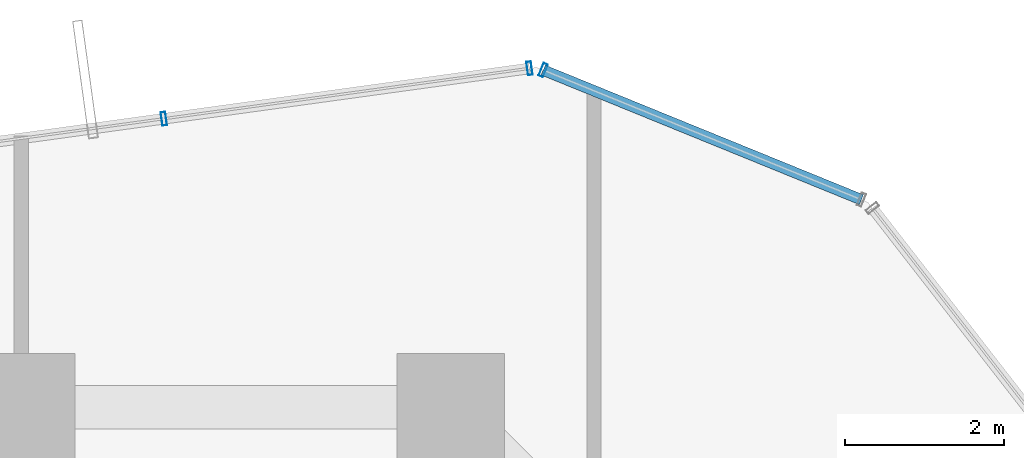
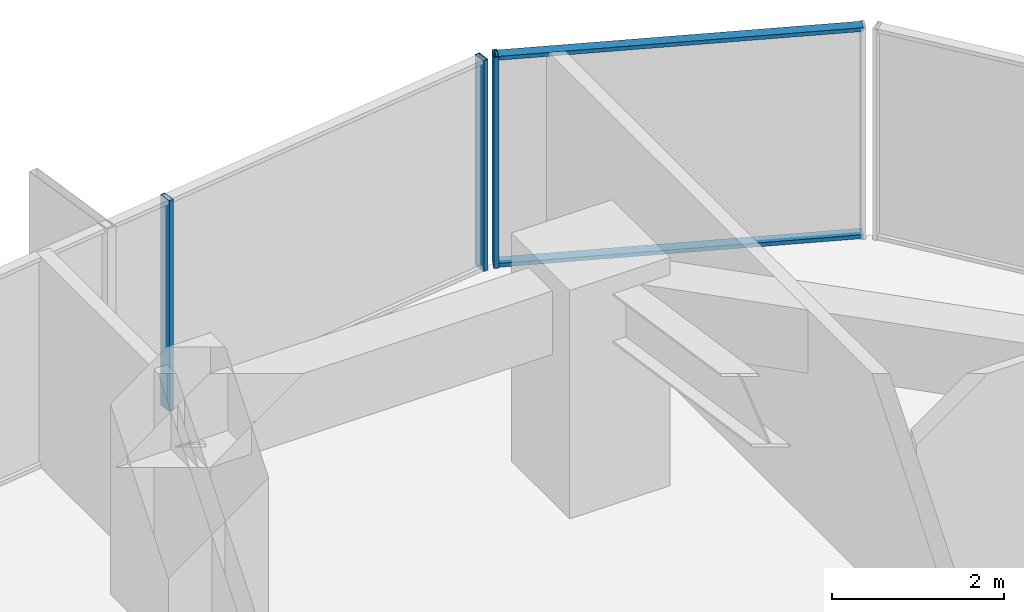
# One storey, part 27 of 37: 5 members, 2 elements without a shape of their own.
"""IFC4 building model written with IfcOpenShell, lengths in metres."""

from ifc_helpers import new_model, si_unit, direction, frame, origin, origin_2d, place, context, subcontext, project, spatial, hollow_rectangle, extrude, source, transform, mapped, material, layer, layer_set, material_profile, profile_set, type_object, element, aggregate, save


model = new_model("IFC4")

# Units and contexts
model_context = context("Model", 3, precision=1e-05, world=origin(), true_north=direction((0.0, 1.0)))
body_context = subcontext(model_context, "Body", "Model", "MODEL_VIEW")
ifc_project = project(units=[si_unit("LENGTHUNIT", "METRE"), si_unit("AREAUNIT", "SQUARE_METRE"), si_unit("VOLUMEUNIT", "CUBIC_METRE"), si_unit("PLANEANGLEUNIT", "RADIAN"), si_unit("MASSUNIT", "GRAM", prefix="KILO")], contexts=[model_context])

# Site, building, storey
site_placement = place(None, origin())
site = spatial("IfcSite", under=ifc_project, at=site_placement, CompositionType="ELEMENT")
building_placement = place(site_placement, origin())
building = spatial("IfcBuilding", under=site, at=building_placement, Name="Veraguas Prism Commons", CompositionType="ELEMENT")
storey_placement = place(building_placement, frame((0.0, 0.0, 50.050048828125)))
storey = spatial("IfcBuildingStorey", under=building, at=storey_placement, Name="L13", CompositionType="ELEMENT", Elevation=50.050048828125)

# Curtain wall, members
ifc_material = material(Name="Anodised aluminium EN AW-6063 T6", Category="aluminium")
ifc_layer = layer(ifc_material, 0.169921875, Name="Unitised Flush Curtain Wall Zone 1", Category="aluminium")
ifc_layer_set = layer_set([ifc_layer], Name="Anodised aluminium EN AW-6063 T6")
curtain_wall_type = type_object("IfcCurtainWallType", Name="Unitised Flush Curtain Wall Zone 1", PredefinedType="NOTDEFINED", material=ifc_layer_set)
curtain_wall_1_placement = place(storey_placement, origin())
curtain_wall_1 = element("IfcCurtainWall", 1, at=curtain_wall_1_placement, inside=storey, type_object=curtain_wall_type, Name="Tower Facade Curtain Wall L13-F2", PredefinedType="NOTDEFINED")
ifc_material_profile_1 = material_profile(ifc_material, hollow_rectangle(XDim=0.06005859375, YDim=0.169921875, WallThickness=0.00390625, at=origin_2d()), Name="AL60X170X4")
ifc_profile_set_1 = profile_set([ifc_material_profile_1], Name="Anodised aluminium EN AW-6063 T6")
member_type_1 = type_object("IfcMemberType", Name="Curtain Wall Mullion Lower AL 60x170x4", PredefinedType="MULLION", material=ifc_profile_set_1)
shared_shape_1 = source(origin(), body_context, "Body", "SweptSolid", [
    extrude(hollow_rectangle(XDim=0.06005859375, YDim=0.169921875, WallThickness=0.00390625, at=origin_2d()), origin(), (0.0, 0.0, 1.0), 3.0),
])
member_1_placement = place(storey_placement, frame((30.389892578125, 45.860595703125, 0.0), z_axis=(0.0, 0.0, 1.0), x_axis=(-0.99065308977, -0.136405482764, 0.0)))
member_1 = element("IfcMember", 2, at=member_1_placement, type_object=member_type_1, Name="CW-Z1 Mullion 1", PredefinedType="MULLION", context=body_context, shape_type="MappedRepresentation", body=[
    mapped(shared_shape_1, transform((0.0, 0.0, 0.0), scale=1.0)),
])
member_2_placement = place(storey_placement, frame((25.792236328125, 45.2275390625, 0.0), z_axis=(0.0, 0.0, 1.0), x_axis=(-0.99065308977, -0.136405482764, 0.0)))
member_2 = element("IfcMember", 3, at=member_2_placement, type_object=member_type_1, Name="CW-Z1 Mullion 2", PredefinedType="MULLION", context=body_context, shape_type="MappedRepresentation", body=[
    mapped(shared_shape_1, transform((0.0, 0.0, 0.0), scale=1.0)),
])
aggregate(curtain_wall_1, [member_1, member_2])

curtain_wall_2_placement = place(storey_placement, origin())
curtain_wall_2 = element("IfcCurtainWall", 4, at=curtain_wall_2_placement, inside=storey, type_object=curtain_wall_type, Name="Chamfer Curtain Wall L13-C2", PredefinedType="NOTDEFINED")
member_3_placement = place(storey_placement, frame((30.562255859375, 45.8388671875, 0.0), z_axis=(0.0, 0.0, 1.0), x_axis=(-0.926124924918, 0.377216944801, 0.0)))
member_3 = element("IfcMember", 5, at=member_3_placement, type_object=member_type_1, Name="CW-Z1 Mullion 2", PredefinedType="MULLION", context=body_context, shape_type="MappedRepresentation", body=[
    mapped(shared_shape_1, transform((0.0, 0.0, 0.0), scale=1.0)),
])
ifc_material_profile_2 = material_profile(ifc_material, hollow_rectangle(XDim=0.054931640625, YDim=0.135009765625, WallThickness=0.0029296875, at=origin_2d()), Name="AL55X135X3")
ifc_profile_set_2 = profile_set([ifc_material_profile_2], Name="Anodised aluminium EN AW-6063 T6")
member_type_2 = type_object("IfcMemberType", Name="Curtain Wall Transom Standard AL 55x135x3", PredefinedType="USERDEFINED", material=ifc_profile_set_2)
shared_shape_2 = source(origin(), body_context, "Body", "SweptSolid", [
    extrude(hollow_rectangle(XDim=0.054931640625, YDim=0.135009765625, WallThickness=0.0029296875, at=origin_2d()), origin(), (0.0, 0.0, 1.0), 4.320068359375),
])
member_4_placement = place(storey_placement, frame((34.563232421875, 44.209228515625, 0.02734375), z_axis=(-0.926123803993, 0.37721969683, 0.0), x_axis=(0.0, 0.0, 1.0)))
member_4 = element("IfcMember", 6, at=member_4_placement, type_object=member_type_2, Name="CW-Z1 Transom 1", ObjectType="TRANSOM", PredefinedType="USERDEFINED", context=body_context, shape_type="MappedRepresentation", body=[
    mapped(shared_shape_2, transform((0.0, 0.0, 0.0), scale=1.0)),
])
member_5_placement = place(storey_placement, frame((34.563232421875, 44.209228515625, 2.972412109375), z_axis=(-0.926123803993, 0.37721969683, 0.0), x_axis=(0.0, 0.0, 1.0)))
member_5 = element("IfcMember", 7, at=member_5_placement, type_object=member_type_2, Name="CW-Z1 Transom 2", ObjectType="TRANSOM", PredefinedType="USERDEFINED", context=body_context, shape_type="MappedRepresentation", body=[
    mapped(shared_shape_2, transform((0.0, 0.0, 0.0), scale=1.0)),
])
aggregate(curtain_wall_2, [member_3, member_4, member_5])

save(model, "model.ifc")
